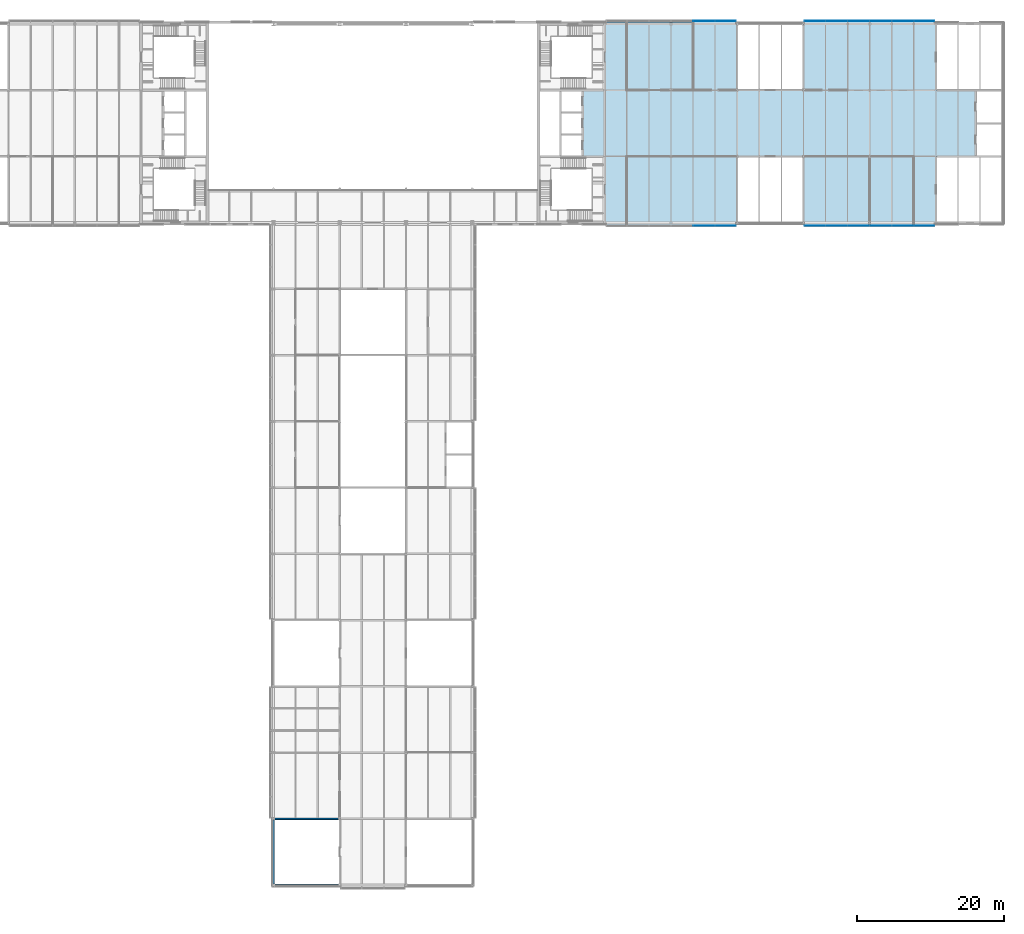
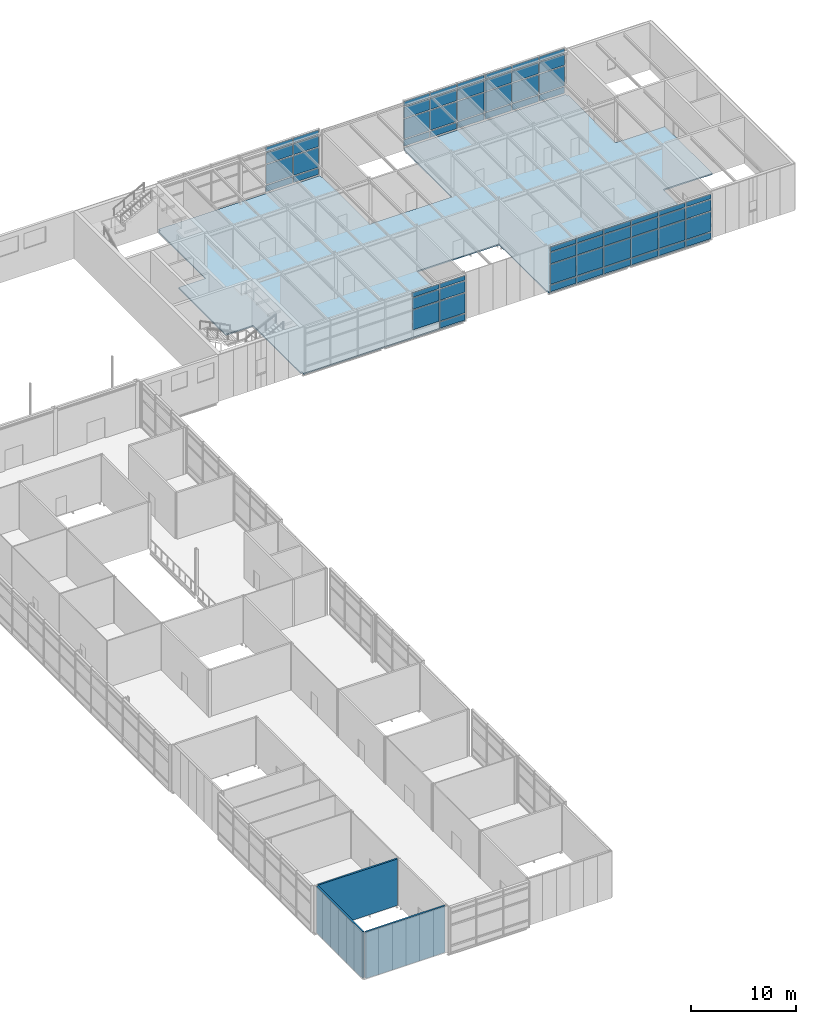
# One storey, part 34 of 46: 63 plates, 3 walls, 1 slab, 4 elements without a shape of their own.
"""IFC4 building model written with IfcOpenShell, lengths in metres."""

from ifc_helpers import new_model, si_unit, direction, frame, frame_2d, origin, origin_2d, place, context, subcontext, project, spatial, polyline, rectangle, outline, extrude, material, layer, layer_set, type_object, element, aggregate, save


model = new_model("IFC4")

# Units and contexts
model_context = context("Model", 3, precision=1e-05, world=origin(), true_north=direction((0.0, 1.0)))
body_context = subcontext(model_context, "Body", "Model", "MODEL_VIEW")
ifc_project = project(units=[si_unit("LENGTHUNIT", "METRE"), si_unit("AREAUNIT", "SQUARE_METRE"), si_unit("VOLUMEUNIT", "CUBIC_METRE"), si_unit("PLANEANGLEUNIT", "RADIAN"), si_unit("MASSUNIT", "GRAM", prefix="KILO")], contexts=[model_context])

# Site, building, storey
site_placement = place(None, origin())
site = spatial("IfcSite", under=ifc_project, at=site_placement, CompositionType="ELEMENT")
building_placement = place(site_placement, origin())
building = spatial("IfcBuilding", under=site, at=building_placement, Name="Azimuth Sports and Learning Centre", CompositionType="ELEMENT")
storey_placement = place(building_placement, frame((0.0, 0.0, 21.60009765625)))
storey = spatial("IfcBuildingStorey", under=building, at=storey_placement, Name="L04", CompositionType="ELEMENT", Elevation=21.60009765625)

# Slab
ifc_material_1 = material(Name="Concrete C30/37", Category="concrete")
ifc_layer_1 = layer(ifc_material_1, 0.14990234375)
ifc_layer_set_1 = layer_set([ifc_layer_1], Name="Concrete C30/37")
slab_type = type_object("IfcSlabType", Name="Composite floor slab 150", PredefinedType="FLOOR", material=ifc_layer_set_1)
slab_placement = place(storey_placement, frame((0.0, 0.0, -0.150146484375)))
element("IfcSlab", 1, at=slab_placement, inside=storey, type_object=slab_type, Name="Slab East wing L04", PredefinedType="FLOOR", context=body_context, shape_type="SweptSolid", body=[
    extrude(outline(polyline([(117.199951171875, 89.699951171875), (134.89990234375, 89.699951171875), (134.89990234375, 90.0), (135.0, 90.0), (135.0, 99.0), (144.0, 99.0), (144.0, 90.0), (144.10009765625, 90.0), (144.10009765625, 89.699951171875), (161.85009765625, 89.699951171875), (161.85009765625, 90.0), (162.0, 90.0), (162.0, 99.0), (167.39990234375, 99.0), (167.39990234375, 108.0), (162.0, 108.0), (162.0, 117.0), (161.85009765625, 117.0), (161.85009765625, 117.300048828125), (144.10009765625, 117.300048828125), (144.10009765625, 117.0), (144.0, 117.0), (144.0, 108.0), (135.0, 108.0), (135.0, 117.0), (134.89990234375, 117.0), (134.89990234375, 117.300048828125), (117.199951171875, 117.300048828125), (117.199951171875, 117.0), (117.0, 117.0), (117.0, 108.0), (114.0, 108.0), (114.0, 99.0), (117.0, 99.0), (117.0, 90.0), (117.199951171875, 90.0), (117.199951171875, 89.699951171875)])), origin(), (0.0, 0.0, 1.0), 0.150146484375),
])

# Curtain wall, plates
ifc_material_2 = material(Name="Aluminium and glass", Category="aluminium")
curtain_wall_type = type_object("IfcCurtainWallType", Name="Curtain wall podium wing 240", PredefinedType="NOTDEFINED", material=ifc_material_2)
curtain_wall_1_placement = place(storey_placement, origin())
curtain_wall_1 = element("IfcCurtainWall", 2, at=curtain_wall_1_placement, inside=storey, type_object=curtain_wall_type, Name="Curtain wall CW04-009", PredefinedType="NOTDEFINED")
ifc_material_3 = material(Name="Insulated aluminium panel", Category="aluminium")
ifc_layer_2 = layer(ifc_material_3, 0.06005859375)
ifc_layer_set_2 = layer_set([ifc_layer_2], Name="Insulated aluminium panel")
plate_type_1 = type_object("IfcPlateType", Name="Spandrel panel 60 mm", PredefinedType="CURTAIN_PANEL", material=ifc_layer_set_2)
plate_1_placement = place(storey_placement, frame((130.5, 89.580078125, 4.760009765625), z_axis=(0.0, 0.0, 1.0), x_axis=(1.0, 0.0, 0.0)))
plate_1 = element("IfcPlate", 3, at=plate_1_placement, type_object=plate_type_1, Name="CW04-009 panel 5.4", PredefinedType="CURTAIN_PANEL", context=body_context, shape_type="SweptSolid", body=[
    extrude(rectangle(XDim=2.919921875, YDim=0.06005859375, at=origin_2d()), origin(), (0.0, 0.0, 1.0), 0.52001953125),
])
plate_2_placement = place(storey_placement, frame((133.429931640625, 89.580078125, 0.1201171875), z_axis=(0.0, 0.0, 1.0), x_axis=(1.0, 0.0, 0.0)))
plate_2 = element("IfcPlate", 4, at=plate_2_placement, type_object=plate_type_1, Name="CW04-009 panel 6.1", PredefinedType="CURTAIN_PANEL", context=body_context, shape_type="SweptSolid", body=[
    extrude(rectangle(XDim=2.780029296875, YDim=0.06005859375, at=origin_2d()), origin(), (0.0, 0.0, 1.0), 0.719970703125),
])
plate_3_placement = place(storey_placement, frame((133.429931640625, 89.580078125, 4.760009765625), z_axis=(0.0, 0.0, 1.0), x_axis=(1.0, 0.0, 0.0)))
plate_3 = element("IfcPlate", 5, at=plate_3_placement, type_object=plate_type_1, Name="CW04-009 panel 6.4", PredefinedType="CURTAIN_PANEL", context=body_context, shape_type="SweptSolid", body=[
    extrude(rectangle(XDim=2.780029296875, YDim=0.06005859375, at=origin_2d()), origin(), (0.0, 0.0, 1.0), 0.52001953125),
])

curtain_wall_2_placement = place(storey_placement, origin())
curtain_wall_2 = element("IfcCurtainWall", 6, at=curtain_wall_2_placement, inside=storey, type_object=curtain_wall_type, Name="Curtain wall CW04-010", PredefinedType="NOTDEFINED")
plate_4_placement = place(storey_placement, frame((145.570068359375, 89.580078125, 0.1201171875), z_axis=(0.0, 0.0, 1.0), x_axis=(1.0, 0.0, 0.0)))
plate_4 = element("IfcPlate", 7, at=plate_4_placement, type_object=plate_type_1, Name="CW04-010 panel 1.1", PredefinedType="CURTAIN_PANEL", context=body_context, shape_type="SweptSolid", body=[
    extrude(rectangle(XDim=2.780029296875, YDim=0.06005859375, at=origin_2d()), origin(), (0.0, 0.0, 1.0), 0.719970703125),
])
plate_5_placement = place(storey_placement, frame((145.570068359375, 89.580078125, 4.760009765625), z_axis=(0.0, 0.0, 1.0), x_axis=(1.0, 0.0, 0.0)))
plate_5 = element("IfcPlate", 8, at=plate_5_placement, type_object=plate_type_1, Name="CW04-010 panel 1.4", PredefinedType="CURTAIN_PANEL", context=body_context, shape_type="SweptSolid", body=[
    extrude(rectangle(XDim=2.780029296875, YDim=0.06005859375, at=origin_2d()), origin(), (0.0, 0.0, 1.0), 0.52001953125),
])
plate_6_placement = place(storey_placement, frame((148.5, 89.580078125, 0.1201171875), z_axis=(0.0, 0.0, 1.0), x_axis=(1.0, 0.0, 0.0)))
plate_6 = element("IfcPlate", 9, at=plate_6_placement, type_object=plate_type_1, Name="CW04-010 panel 2.1", PredefinedType="CURTAIN_PANEL", context=body_context, shape_type="SweptSolid", body=[
    extrude(rectangle(XDim=2.919921875, YDim=0.06005859375, at=origin_2d()), origin(), (0.0, 0.0, 1.0), 0.719970703125),
])
plate_7_placement = place(storey_placement, frame((148.5, 89.580078125, 4.760009765625), z_axis=(0.0, 0.0, 1.0), x_axis=(1.0, 0.0, 0.0)))
plate_7 = element("IfcPlate", 10, at=plate_7_placement, type_object=plate_type_1, Name="CW04-010 panel 2.4", PredefinedType="CURTAIN_PANEL", context=body_context, shape_type="SweptSolid", body=[
    extrude(rectangle(XDim=2.919921875, YDim=0.06005859375, at=origin_2d()), origin(), (0.0, 0.0, 1.0), 0.52001953125),
])
plate_8_placement = place(storey_placement, frame((151.5, 89.580078125, 0.1201171875), z_axis=(0.0, 0.0, 1.0), x_axis=(1.0, 0.0, 0.0)))
plate_8 = element("IfcPlate", 11, at=plate_8_placement, type_object=plate_type_1, Name="CW04-010 panel 3.1", PredefinedType="CURTAIN_PANEL", context=body_context, shape_type="SweptSolid", body=[
    extrude(rectangle(XDim=2.919921875, YDim=0.06005859375, at=origin_2d()), origin(), (0.0, 0.0, 1.0), 0.719970703125),
])
plate_9_placement = place(storey_placement, frame((151.5, 89.580078125, 4.760009765625), z_axis=(0.0, 0.0, 1.0), x_axis=(1.0, 0.0, 0.0)))
plate_9 = element("IfcPlate", 12, at=plate_9_placement, type_object=plate_type_1, Name="CW04-010 panel 3.4", PredefinedType="CURTAIN_PANEL", context=body_context, shape_type="SweptSolid", body=[
    extrude(rectangle(XDim=2.919921875, YDim=0.06005859375, at=origin_2d()), origin(), (0.0, 0.0, 1.0), 0.52001953125),
])
plate_10_placement = place(storey_placement, frame((154.5, 89.580078125, 0.1201171875), z_axis=(0.0, 0.0, 1.0), x_axis=(1.0, 0.0, 0.0)))
plate_10 = element("IfcPlate", 13, at=plate_10_placement, type_object=plate_type_1, Name="CW04-010 panel 4.1", PredefinedType="CURTAIN_PANEL", context=body_context, shape_type="SweptSolid", body=[
    extrude(rectangle(XDim=2.919921875, YDim=0.06005859375, at=origin_2d()), origin(), (0.0, 0.0, 1.0), 0.719970703125),
])
plate_11_placement = place(storey_placement, frame((154.5, 89.580078125, 4.760009765625), z_axis=(0.0, 0.0, 1.0), x_axis=(1.0, 0.0, 0.0)))
plate_11 = element("IfcPlate", 14, at=plate_11_placement, type_object=plate_type_1, Name="CW04-010 panel 4.4", PredefinedType="CURTAIN_PANEL", context=body_context, shape_type="SweptSolid", body=[
    extrude(rectangle(XDim=2.919921875, YDim=0.06005859375, at=origin_2d()), origin(), (0.0, 0.0, 1.0), 0.52001953125),
])
plate_12_placement = place(storey_placement, frame((157.5, 89.580078125, 0.1201171875), z_axis=(0.0, 0.0, 1.0), x_axis=(1.0, 0.0, 0.0)))
plate_12 = element("IfcPlate", 15, at=plate_12_placement, type_object=plate_type_1, Name="CW04-010 panel 5.1", PredefinedType="CURTAIN_PANEL", context=body_context, shape_type="SweptSolid", body=[
    extrude(rectangle(XDim=2.919921875, YDim=0.06005859375, at=origin_2d()), origin(), (0.0, 0.0, 1.0), 0.719970703125),
])
plate_13_placement = place(storey_placement, frame((157.5, 89.580078125, 4.760009765625), z_axis=(0.0, 0.0, 1.0), x_axis=(1.0, 0.0, 0.0)))
plate_13 = element("IfcPlate", 16, at=plate_13_placement, type_object=plate_type_1, Name="CW04-010 panel 5.4", PredefinedType="CURTAIN_PANEL", context=body_context, shape_type="SweptSolid", body=[
    extrude(rectangle(XDim=2.919921875, YDim=0.06005859375, at=origin_2d()), origin(), (0.0, 0.0, 1.0), 0.52001953125),
])
plate_14_placement = place(storey_placement, frame((160.405029296875, 89.580078125, 0.1201171875), z_axis=(0.0, 0.0, 1.0), x_axis=(1.0, 0.0, 0.0)))
plate_14 = element("IfcPlate", 17, at=plate_14_placement, type_object=plate_type_1, Name="CW04-010 panel 6.1", PredefinedType="CURTAIN_PANEL", context=body_context, shape_type="SweptSolid", body=[
    extrude(rectangle(XDim=2.72998046875, YDim=0.06005859375, at=origin_2d()), origin(), (0.0, 0.0, 1.0), 0.719970703125),
])
plate_15_placement = place(storey_placement, frame((160.405029296875, 89.580078125, 4.760009765625), z_axis=(0.0, 0.0, 1.0), x_axis=(1.0, 0.0, 0.0)))
plate_15 = element("IfcPlate", 18, at=plate_15_placement, type_object=plate_type_1, Name="CW04-010 panel 6.4", PredefinedType="CURTAIN_PANEL", context=body_context, shape_type="SweptSolid", body=[
    extrude(rectangle(XDim=2.72998046875, YDim=0.06005859375, at=origin_2d()), origin(), (0.0, 0.0, 1.0), 0.52001953125),
])

curtain_wall_3_placement = place(storey_placement, origin())
curtain_wall_3 = element("IfcCurtainWall", 19, at=curtain_wall_3_placement, inside=storey, type_object=curtain_wall_type, Name="Curtain wall CW04-011", PredefinedType="NOTDEFINED")
plate_16_placement = place(storey_placement, frame((160.405029296875, 117.419921875, 0.1201171875), z_axis=(0.0, 0.0, 1.0), x_axis=(-1.0, 0.0, 0.0)))
plate_16 = element("IfcPlate", 20, at=plate_16_placement, type_object=plate_type_1, Name="CW04-011 panel 1.1", PredefinedType="CURTAIN_PANEL", context=body_context, shape_type="SweptSolid", body=[
    extrude(rectangle(XDim=2.72998046875, YDim=0.06005859375, at=origin_2d()), origin(), (0.0, 0.0, 1.0), 0.719970703125),
])
plate_17_placement = place(storey_placement, frame((160.405029296875, 117.419921875, 4.760009765625), z_axis=(0.0, 0.0, 1.0), x_axis=(-1.0, 0.0, 0.0)))
plate_17 = element("IfcPlate", 21, at=plate_17_placement, type_object=plate_type_1, Name="CW04-011 panel 1.4", PredefinedType="CURTAIN_PANEL", context=body_context, shape_type="SweptSolid", body=[
    extrude(rectangle(XDim=2.72998046875, YDim=0.06005859375, at=origin_2d()), origin(), (0.0, 0.0, 1.0), 0.52001953125),
])
plate_18_placement = place(storey_placement, frame((157.5, 117.419921875, 0.1201171875), z_axis=(0.0, 0.0, 1.0), x_axis=(-1.0, 0.0, 0.0)))
plate_18 = element("IfcPlate", 22, at=plate_18_placement, type_object=plate_type_1, Name="CW04-011 panel 2.1", PredefinedType="CURTAIN_PANEL", context=body_context, shape_type="SweptSolid", body=[
    extrude(rectangle(XDim=2.919921875, YDim=0.06005859375, at=origin_2d()), origin(), (0.0, 0.0, 1.0), 0.719970703125),
])
plate_19_placement = place(storey_placement, frame((157.5, 117.419921875, 4.760009765625), z_axis=(0.0, 0.0, 1.0), x_axis=(-1.0, 0.0, 0.0)))
plate_19 = element("IfcPlate", 23, at=plate_19_placement, type_object=plate_type_1, Name="CW04-011 panel 2.4", PredefinedType="CURTAIN_PANEL", context=body_context, shape_type="SweptSolid", body=[
    extrude(rectangle(XDim=2.919921875, YDim=0.06005859375, at=origin_2d()), origin(), (0.0, 0.0, 1.0), 0.52001953125),
])
plate_20_placement = place(storey_placement, frame((154.5, 117.419921875, 0.1201171875), z_axis=(0.0, 0.0, 1.0), x_axis=(-1.0, 0.0, 0.0)))
plate_20 = element("IfcPlate", 24, at=plate_20_placement, type_object=plate_type_1, Name="CW04-011 panel 3.1", PredefinedType="CURTAIN_PANEL", context=body_context, shape_type="SweptSolid", body=[
    extrude(rectangle(XDim=2.919921875, YDim=0.06005859375, at=origin_2d()), origin(), (0.0, 0.0, 1.0), 0.719970703125),
])
plate_21_placement = place(storey_placement, frame((154.5, 117.419921875, 4.760009765625), z_axis=(0.0, 0.0, 1.0), x_axis=(-1.0, 0.0, 0.0)))
plate_21 = element("IfcPlate", 25, at=plate_21_placement, type_object=plate_type_1, Name="CW04-011 panel 3.4", PredefinedType="CURTAIN_PANEL", context=body_context, shape_type="SweptSolid", body=[
    extrude(rectangle(XDim=2.919921875, YDim=0.06005859375, at=origin_2d()), origin(), (0.0, 0.0, 1.0), 0.52001953125),
])
plate_22_placement = place(storey_placement, frame((151.5, 117.419921875, 0.1201171875), z_axis=(0.0, 0.0, 1.0), x_axis=(-1.0, 0.0, 0.0)))
plate_22 = element("IfcPlate", 26, at=plate_22_placement, type_object=plate_type_1, Name="CW04-011 panel 4.1", PredefinedType="CURTAIN_PANEL", context=body_context, shape_type="SweptSolid", body=[
    extrude(rectangle(XDim=2.919921875, YDim=0.06005859375, at=origin_2d()), origin(), (0.0, 0.0, 1.0), 0.719970703125),
])
plate_23_placement = place(storey_placement, frame((151.5, 117.419921875, 4.760009765625), z_axis=(0.0, 0.0, 1.0), x_axis=(-1.0, 0.0, 0.0)))
plate_23 = element("IfcPlate", 27, at=plate_23_placement, type_object=plate_type_1, Name="CW04-011 panel 4.4", PredefinedType="CURTAIN_PANEL", context=body_context, shape_type="SweptSolid", body=[
    extrude(rectangle(XDim=2.919921875, YDim=0.06005859375, at=origin_2d()), origin(), (0.0, 0.0, 1.0), 0.52001953125),
])
plate_24_placement = place(storey_placement, frame((148.5, 117.419921875, 0.1201171875), z_axis=(0.0, 0.0, 1.0), x_axis=(-1.0, 0.0, 0.0)))
plate_24 = element("IfcPlate", 28, at=plate_24_placement, type_object=plate_type_1, Name="CW04-011 panel 5.1", PredefinedType="CURTAIN_PANEL", context=body_context, shape_type="SweptSolid", body=[
    extrude(rectangle(XDim=2.919921875, YDim=0.06005859375, at=origin_2d()), origin(), (0.0, 0.0, 1.0), 0.719970703125),
])
plate_25_placement = place(storey_placement, frame((148.5, 117.419921875, 4.760009765625), z_axis=(0.0, 0.0, 1.0), x_axis=(-1.0, 0.0, 0.0)))
plate_25 = element("IfcPlate", 29, at=plate_25_placement, type_object=plate_type_1, Name="CW04-011 panel 5.4", PredefinedType="CURTAIN_PANEL", context=body_context, shape_type="SweptSolid", body=[
    extrude(rectangle(XDim=2.919921875, YDim=0.06005859375, at=origin_2d()), origin(), (0.0, 0.0, 1.0), 0.52001953125),
])
plate_26_placement = place(storey_placement, frame((145.570068359375, 117.419921875, 0.1201171875), z_axis=(0.0, 0.0, 1.0), x_axis=(-1.0, 0.0, 0.0)))
plate_26 = element("IfcPlate", 30, at=plate_26_placement, type_object=plate_type_1, Name="CW04-011 panel 6.1", PredefinedType="CURTAIN_PANEL", context=body_context, shape_type="SweptSolid", body=[
    extrude(rectangle(XDim=2.780029296875, YDim=0.06005859375, at=origin_2d()), origin(), (0.0, 0.0, 1.0), 0.719970703125),
])
plate_27_placement = place(storey_placement, frame((145.570068359375, 117.419921875, 4.760009765625), z_axis=(0.0, 0.0, 1.0), x_axis=(-1.0, 0.0, 0.0)))
plate_27 = element("IfcPlate", 31, at=plate_27_placement, type_object=plate_type_1, Name="CW04-011 panel 6.4", PredefinedType="CURTAIN_PANEL", context=body_context, shape_type="SweptSolid", body=[
    extrude(rectangle(XDim=2.780029296875, YDim=0.06005859375, at=origin_2d()), origin(), (0.0, 0.0, 1.0), 0.52001953125),
])

curtain_wall_4_placement = place(storey_placement, origin())
curtain_wall_4 = element("IfcCurtainWall", 32, at=curtain_wall_4_placement, inside=storey, type_object=curtain_wall_type, Name="Curtain wall CW04-012", PredefinedType="NOTDEFINED")
plate_28_placement = place(storey_placement, frame((133.429931640625, 117.419921875, 0.1201171875), z_axis=(0.0, 0.0, 1.0), x_axis=(-1.0, 0.0, 0.0)))
plate_28 = element("IfcPlate", 33, at=plate_28_placement, type_object=plate_type_1, Name="CW04-012 panel 1.1", PredefinedType="CURTAIN_PANEL", context=body_context, shape_type="SweptSolid", body=[
    extrude(rectangle(XDim=2.780029296875, YDim=0.06005859375, at=origin_2d()), origin(), (0.0, 0.0, 1.0), 0.719970703125),
])
plate_29_placement = place(storey_placement, frame((133.429931640625, 117.419921875, 4.760009765625), z_axis=(0.0, 0.0, 1.0), x_axis=(-1.0, 0.0, 0.0)))
plate_29 = element("IfcPlate", 34, at=plate_29_placement, type_object=plate_type_1, Name="CW04-012 panel 1.4", PredefinedType="CURTAIN_PANEL", context=body_context, shape_type="SweptSolid", body=[
    extrude(rectangle(XDim=2.780029296875, YDim=0.06005859375, at=origin_2d()), origin(), (0.0, 0.0, 1.0), 0.52001953125),
])
plate_30_placement = place(storey_placement, frame((130.5, 117.419921875, 0.1201171875), z_axis=(0.0, 0.0, 1.0), x_axis=(-1.0, 0.0, 0.0)))
plate_30 = element("IfcPlate", 35, at=plate_30_placement, type_object=plate_type_1, Name="CW04-012 panel 2.1", PredefinedType="CURTAIN_PANEL", context=body_context, shape_type="SweptSolid", body=[
    extrude(rectangle(XDim=2.919921875, YDim=0.06005859375, at=origin_2d()), origin(), (0.0, 0.0, 1.0), 0.719970703125),
])
plate_31_placement = place(storey_placement, frame((130.5, 117.419921875, 4.760009765625), z_axis=(0.0, 0.0, 1.0), x_axis=(-1.0, 0.0, 0.0)))
plate_31 = element("IfcPlate", 36, at=plate_31_placement, type_object=plate_type_1, Name="CW04-012 panel 2.4", PredefinedType="CURTAIN_PANEL", context=body_context, shape_type="SweptSolid", body=[
    extrude(rectangle(XDim=2.919921875, YDim=0.06005859375, at=origin_2d()), origin(), (0.0, 0.0, 1.0), 0.52001953125),
])

# Plate
ifc_material_4 = material(Name="Glass", Category="glass")
ifc_layer_3 = layer(ifc_material_4, 0.0439453125)
ifc_layer_set_3 = layer_set([ifc_layer_3], Name="Glass")
plate_type_2 = type_object("IfcPlateType", Name="Vision glass 44 mm", PredefinedType="CURTAIN_PANEL", material=ifc_layer_set_3)
plate_32_placement = place(storey_placement, frame((130.5, 89.580078125, 0.9599609375), z_axis=(0.0, 0.0, 1.0), x_axis=(1.0, 0.0, 0.0)))
plate_32 = element("IfcPlate", 37, at=plate_32_placement, type_object=plate_type_2, Name="CW04-009 panel 5.2", PredefinedType="CURTAIN_PANEL", context=body_context, shape_type="SweptSolid", body=[
    extrude(rectangle(XDim=2.919921875, YDim=0.0439453125, at=origin_2d()), origin(), (0.0, 0.0, 1.0), 2.280029296875),
])

plate_33_placement = place(storey_placement, frame((130.5, 89.580078125, 3.35986328125), z_axis=(0.0, 0.0, 1.0), x_axis=(1.0, 0.0, 0.0)))
plate_33 = element("IfcPlate", 38, at=plate_33_placement, type_object=plate_type_2, Name="CW04-009 panel 5.3", PredefinedType="CURTAIN_PANEL", context=body_context, shape_type="SweptSolid", body=[
    extrude(rectangle(XDim=2.919921875, YDim=0.0439453125, at=origin_2d()), origin(), (0.0, 0.0, 1.0), 1.280029296875),
])

plate_34_placement = place(storey_placement, frame((133.429931640625, 89.580078125, 0.9599609375), z_axis=(0.0, 0.0, 1.0), x_axis=(1.0, 0.0, 0.0)))
plate_34 = element("IfcPlate", 39, at=plate_34_placement, type_object=plate_type_2, Name="CW04-009 panel 6.2", PredefinedType="CURTAIN_PANEL", context=body_context, shape_type="SweptSolid", body=[
    extrude(rectangle(XDim=2.780029296875, YDim=0.0439453125, at=origin_2d()), origin(), (0.0, 0.0, 1.0), 2.280029296875),
])

plate_35_placement = place(storey_placement, frame((133.429931640625, 89.580078125, 3.35986328125), z_axis=(0.0, 0.0, 1.0), x_axis=(1.0, 0.0, 0.0)))
plate_35 = element("IfcPlate", 40, at=plate_35_placement, type_object=plate_type_2, Name="CW04-009 panel 6.3", PredefinedType="CURTAIN_PANEL", context=body_context, shape_type="SweptSolid", body=[
    extrude(rectangle(XDim=2.780029296875, YDim=0.0439453125, at=origin_2d()), origin(), (0.0, 0.0, 1.0), 1.280029296875),
])

aggregate(curtain_wall_1, [plate_32, plate_33, plate_1, plate_2, plate_34, plate_35, plate_3])

plate_36_placement = place(storey_placement, frame((145.570068359375, 89.580078125, 0.9599609375), z_axis=(0.0, 0.0, 1.0), x_axis=(1.0, 0.0, 0.0)))
plate_36 = element("IfcPlate", 41, at=plate_36_placement, type_object=plate_type_2, Name="CW04-010 panel 1.2", PredefinedType="CURTAIN_PANEL", context=body_context, shape_type="SweptSolid", body=[
    extrude(rectangle(XDim=2.780029296875, YDim=0.0439453125, at=origin_2d()), origin(), (0.0, 0.0, 1.0), 2.280029296875),
])

plate_37_placement = place(storey_placement, frame((145.570068359375, 89.580078125, 3.35986328125), z_axis=(0.0, 0.0, 1.0), x_axis=(1.0, 0.0, 0.0)))
plate_37 = element("IfcPlate", 42, at=plate_37_placement, type_object=plate_type_2, Name="CW04-010 panel 1.3", PredefinedType="CURTAIN_PANEL", context=body_context, shape_type="SweptSolid", body=[
    extrude(rectangle(XDim=2.780029296875, YDim=0.0439453125, at=origin_2d()), origin(), (0.0, 0.0, 1.0), 1.280029296875),
])

plate_38_placement = place(storey_placement, frame((148.5, 89.580078125, 0.9599609375), z_axis=(0.0, 0.0, 1.0), x_axis=(1.0, 0.0, 0.0)))
plate_38 = element("IfcPlate", 43, at=plate_38_placement, type_object=plate_type_2, Name="CW04-010 panel 2.2", PredefinedType="CURTAIN_PANEL", context=body_context, shape_type="SweptSolid", body=[
    extrude(rectangle(XDim=2.919921875, YDim=0.0439453125, at=origin_2d()), origin(), (0.0, 0.0, 1.0), 2.280029296875),
])

plate_39_placement = place(storey_placement, frame((148.5, 89.580078125, 3.35986328125), z_axis=(0.0, 0.0, 1.0), x_axis=(1.0, 0.0, 0.0)))
plate_39 = element("IfcPlate", 44, at=plate_39_placement, type_object=plate_type_2, Name="CW04-010 panel 2.3", PredefinedType="CURTAIN_PANEL", context=body_context, shape_type="SweptSolid", body=[
    extrude(rectangle(XDim=2.919921875, YDim=0.0439453125, at=origin_2d()), origin(), (0.0, 0.0, 1.0), 1.280029296875),
])

plate_40_placement = place(storey_placement, frame((151.5, 89.580078125, 0.9599609375), z_axis=(0.0, 0.0, 1.0), x_axis=(1.0, 0.0, 0.0)))
plate_40 = element("IfcPlate", 45, at=plate_40_placement, type_object=plate_type_2, Name="CW04-010 panel 3.2", PredefinedType="CURTAIN_PANEL", context=body_context, shape_type="SweptSolid", body=[
    extrude(rectangle(XDim=2.919921875, YDim=0.0439453125, at=origin_2d()), origin(), (0.0, 0.0, 1.0), 2.280029296875),
])

plate_41_placement = place(storey_placement, frame((151.5, 89.580078125, 3.35986328125), z_axis=(0.0, 0.0, 1.0), x_axis=(1.0, 0.0, 0.0)))
plate_41 = element("IfcPlate", 46, at=plate_41_placement, type_object=plate_type_2, Name="CW04-010 panel 3.3", PredefinedType="CURTAIN_PANEL", context=body_context, shape_type="SweptSolid", body=[
    extrude(rectangle(XDim=2.919921875, YDim=0.0439453125, at=origin_2d()), origin(), (0.0, 0.0, 1.0), 1.280029296875),
])

plate_42_placement = place(storey_placement, frame((154.5, 89.580078125, 0.9599609375), z_axis=(0.0, 0.0, 1.0), x_axis=(1.0, 0.0, 0.0)))
plate_42 = element("IfcPlate", 47, at=plate_42_placement, type_object=plate_type_2, Name="CW04-010 panel 4.2", PredefinedType="CURTAIN_PANEL", context=body_context, shape_type="SweptSolid", body=[
    extrude(rectangle(XDim=2.919921875, YDim=0.0439453125, at=origin_2d()), origin(), (0.0, 0.0, 1.0), 2.280029296875),
])

plate_43_placement = place(storey_placement, frame((154.5, 89.580078125, 3.35986328125), z_axis=(0.0, 0.0, 1.0), x_axis=(1.0, 0.0, 0.0)))
plate_43 = element("IfcPlate", 48, at=plate_43_placement, type_object=plate_type_2, Name="CW04-010 panel 4.3", PredefinedType="CURTAIN_PANEL", context=body_context, shape_type="SweptSolid", body=[
    extrude(rectangle(XDim=2.919921875, YDim=0.0439453125, at=origin_2d()), origin(), (0.0, 0.0, 1.0), 1.280029296875),
])

plate_44_placement = place(storey_placement, frame((157.5, 89.580078125, 0.9599609375), z_axis=(0.0, 0.0, 1.0), x_axis=(1.0, 0.0, 0.0)))
plate_44 = element("IfcPlate", 49, at=plate_44_placement, type_object=plate_type_2, Name="CW04-010 panel 5.2", PredefinedType="CURTAIN_PANEL", context=body_context, shape_type="SweptSolid", body=[
    extrude(rectangle(XDim=2.919921875, YDim=0.0439453125, at=origin_2d()), origin(), (0.0, 0.0, 1.0), 2.280029296875),
])

plate_45_placement = place(storey_placement, frame((157.5, 89.580078125, 3.35986328125), z_axis=(0.0, 0.0, 1.0), x_axis=(1.0, 0.0, 0.0)))
plate_45 = element("IfcPlate", 50, at=plate_45_placement, type_object=plate_type_2, Name="CW04-010 panel 5.3", PredefinedType="CURTAIN_PANEL", context=body_context, shape_type="SweptSolid", body=[
    extrude(rectangle(XDim=2.919921875, YDim=0.0439453125, at=origin_2d()), origin(), (0.0, 0.0, 1.0), 1.280029296875),
])

plate_46_placement = place(storey_placement, frame((160.405029296875, 89.580078125, 0.9599609375), z_axis=(0.0, 0.0, 1.0), x_axis=(1.0, 0.0, 0.0)))
plate_46 = element("IfcPlate", 51, at=plate_46_placement, type_object=plate_type_2, Name="CW04-010 panel 6.2", PredefinedType="CURTAIN_PANEL", context=body_context, shape_type="SweptSolid", body=[
    extrude(rectangle(XDim=2.72998046875, YDim=0.0439453125, at=origin_2d()), origin(), (0.0, 0.0, 1.0), 2.280029296875),
])

plate_47_placement = place(storey_placement, frame((160.405029296875, 89.580078125, 3.35986328125), z_axis=(0.0, 0.0, 1.0), x_axis=(1.0, 0.0, 0.0)))
plate_47 = element("IfcPlate", 52, at=plate_47_placement, type_object=plate_type_2, Name="CW04-010 panel 6.3", PredefinedType="CURTAIN_PANEL", context=body_context, shape_type="SweptSolid", body=[
    extrude(rectangle(XDim=2.72998046875, YDim=0.0439453125, at=origin_2d()), origin(), (0.0, 0.0, 1.0), 1.280029296875),
])

aggregate(curtain_wall_2, [plate_4, plate_36, plate_37, plate_5, plate_6, plate_38, plate_39, plate_7, plate_8, plate_40, plate_41, plate_9, plate_10, plate_42, plate_43, plate_11, plate_12, plate_44, plate_45, plate_13, plate_14, plate_46, plate_47, plate_15])

plate_48_placement = place(storey_placement, frame((160.405029296875, 117.419921875, 0.9599609375), z_axis=(0.0, 0.0, 1.0), x_axis=(-1.0, 0.0, 0.0)))
plate_48 = element("IfcPlate", 53, at=plate_48_placement, type_object=plate_type_2, Name="CW04-011 panel 1.2", PredefinedType="CURTAIN_PANEL", context=body_context, shape_type="SweptSolid", body=[
    extrude(rectangle(XDim=2.72998046875, YDim=0.0439453125, at=origin_2d()), origin(), (0.0, 0.0, 1.0), 2.280029296875),
])

plate_49_placement = place(storey_placement, frame((160.405029296875, 117.419921875, 3.35986328125), z_axis=(0.0, 0.0, 1.0), x_axis=(-1.0, 0.0, 0.0)))
plate_49 = element("IfcPlate", 54, at=plate_49_placement, type_object=plate_type_2, Name="CW04-011 panel 1.3", PredefinedType="CURTAIN_PANEL", context=body_context, shape_type="SweptSolid", body=[
    extrude(rectangle(XDim=2.72998046875, YDim=0.0439453125, at=origin_2d()), origin(), (0.0, 0.0, 1.0), 1.280029296875),
])

plate_50_placement = place(storey_placement, frame((157.5, 117.419921875, 0.9599609375), z_axis=(0.0, 0.0, 1.0), x_axis=(-1.0, 0.0, 0.0)))
plate_50 = element("IfcPlate", 55, at=plate_50_placement, type_object=plate_type_2, Name="CW04-011 panel 2.2", PredefinedType="CURTAIN_PANEL", context=body_context, shape_type="SweptSolid", body=[
    extrude(rectangle(XDim=2.919921875, YDim=0.0439453125, at=origin_2d()), origin(), (0.0, 0.0, 1.0), 2.280029296875),
])

plate_51_placement = place(storey_placement, frame((157.5, 117.419921875, 3.35986328125), z_axis=(0.0, 0.0, 1.0), x_axis=(-1.0, 0.0, 0.0)))
plate_51 = element("IfcPlate", 56, at=plate_51_placement, type_object=plate_type_2, Name="CW04-011 panel 2.3", PredefinedType="CURTAIN_PANEL", context=body_context, shape_type="SweptSolid", body=[
    extrude(rectangle(XDim=2.919921875, YDim=0.0439453125, at=origin_2d()), origin(), (0.0, 0.0, 1.0), 1.280029296875),
])

plate_52_placement = place(storey_placement, frame((154.5, 117.419921875, 0.9599609375), z_axis=(0.0, 0.0, 1.0), x_axis=(-1.0, 0.0, 0.0)))
plate_52 = element("IfcPlate", 57, at=plate_52_placement, type_object=plate_type_2, Name="CW04-011 panel 3.2", PredefinedType="CURTAIN_PANEL", context=body_context, shape_type="SweptSolid", body=[
    extrude(rectangle(XDim=2.919921875, YDim=0.0439453125, at=origin_2d()), origin(), (0.0, 0.0, 1.0), 2.280029296875),
])

plate_53_placement = place(storey_placement, frame((154.5, 117.419921875, 3.35986328125), z_axis=(0.0, 0.0, 1.0), x_axis=(-1.0, 0.0, 0.0)))
plate_53 = element("IfcPlate", 58, at=plate_53_placement, type_object=plate_type_2, Name="CW04-011 panel 3.3", PredefinedType="CURTAIN_PANEL", context=body_context, shape_type="SweptSolid", body=[
    extrude(rectangle(XDim=2.919921875, YDim=0.0439453125, at=origin_2d()), origin(), (0.0, 0.0, 1.0), 1.280029296875),
])

plate_54_placement = place(storey_placement, frame((151.5, 117.419921875, 0.9599609375), z_axis=(0.0, 0.0, 1.0), x_axis=(-1.0, 0.0, 0.0)))
plate_54 = element("IfcPlate", 59, at=plate_54_placement, type_object=plate_type_2, Name="CW04-011 panel 4.2", PredefinedType="CURTAIN_PANEL", context=body_context, shape_type="SweptSolid", body=[
    extrude(rectangle(XDim=2.919921875, YDim=0.0439453125, at=origin_2d()), origin(), (0.0, 0.0, 1.0), 2.280029296875),
])

plate_55_placement = place(storey_placement, frame((151.5, 117.419921875, 3.35986328125), z_axis=(0.0, 0.0, 1.0), x_axis=(-1.0, 0.0, 0.0)))
plate_55 = element("IfcPlate", 60, at=plate_55_placement, type_object=plate_type_2, Name="CW04-011 panel 4.3", PredefinedType="CURTAIN_PANEL", context=body_context, shape_type="SweptSolid", body=[
    extrude(rectangle(XDim=2.919921875, YDim=0.0439453125, at=origin_2d()), origin(), (0.0, 0.0, 1.0), 1.280029296875),
])

plate_56_placement = place(storey_placement, frame((148.5, 117.419921875, 0.9599609375), z_axis=(0.0, 0.0, 1.0), x_axis=(-1.0, 0.0, 0.0)))
plate_56 = element("IfcPlate", 61, at=plate_56_placement, type_object=plate_type_2, Name="CW04-011 panel 5.2", PredefinedType="CURTAIN_PANEL", context=body_context, shape_type="SweptSolid", body=[
    extrude(rectangle(XDim=2.919921875, YDim=0.0439453125, at=origin_2d()), origin(), (0.0, 0.0, 1.0), 2.280029296875),
])

plate_57_placement = place(storey_placement, frame((148.5, 117.419921875, 3.35986328125), z_axis=(0.0, 0.0, 1.0), x_axis=(-1.0, 0.0, 0.0)))
plate_57 = element("IfcPlate", 62, at=plate_57_placement, type_object=plate_type_2, Name="CW04-011 panel 5.3", PredefinedType="CURTAIN_PANEL", context=body_context, shape_type="SweptSolid", body=[
    extrude(rectangle(XDim=2.919921875, YDim=0.0439453125, at=origin_2d()), origin(), (0.0, 0.0, 1.0), 1.280029296875),
])

plate_58_placement = place(storey_placement, frame((145.570068359375, 117.419921875, 0.9599609375), z_axis=(0.0, 0.0, 1.0), x_axis=(-1.0, 0.0, 0.0)))
plate_58 = element("IfcPlate", 63, at=plate_58_placement, type_object=plate_type_2, Name="CW04-011 panel 6.2", PredefinedType="CURTAIN_PANEL", context=body_context, shape_type="SweptSolid", body=[
    extrude(rectangle(XDim=2.780029296875, YDim=0.0439453125, at=origin_2d()), origin(), (0.0, 0.0, 1.0), 2.280029296875),
])

plate_59_placement = place(storey_placement, frame((145.570068359375, 117.419921875, 3.35986328125), z_axis=(0.0, 0.0, 1.0), x_axis=(-1.0, 0.0, 0.0)))
plate_59 = element("IfcPlate", 64, at=plate_59_placement, type_object=plate_type_2, Name="CW04-011 panel 6.3", PredefinedType="CURTAIN_PANEL", context=body_context, shape_type="SweptSolid", body=[
    extrude(rectangle(XDim=2.780029296875, YDim=0.0439453125, at=origin_2d()), origin(), (0.0, 0.0, 1.0), 1.280029296875),
])

aggregate(curtain_wall_3, [plate_16, plate_48, plate_49, plate_17, plate_18, plate_50, plate_51, plate_19, plate_20, plate_52, plate_53, plate_21, plate_22, plate_54, plate_55, plate_23, plate_24, plate_56, plate_57, plate_25, plate_26, plate_58, plate_59, plate_27])

plate_60_placement = place(storey_placement, frame((133.429931640625, 117.419921875, 0.9599609375), z_axis=(0.0, 0.0, 1.0), x_axis=(-1.0, 0.0, 0.0)))
plate_60 = element("IfcPlate", 65, at=plate_60_placement, type_object=plate_type_2, Name="CW04-012 panel 1.2", PredefinedType="CURTAIN_PANEL", context=body_context, shape_type="SweptSolid", body=[
    extrude(rectangle(XDim=2.780029296875, YDim=0.0439453125, at=origin_2d()), origin(), (0.0, 0.0, 1.0), 2.280029296875),
])

plate_61_placement = place(storey_placement, frame((133.429931640625, 117.419921875, 3.35986328125), z_axis=(0.0, 0.0, 1.0), x_axis=(-1.0, 0.0, 0.0)))
plate_61 = element("IfcPlate", 66, at=plate_61_placement, type_object=plate_type_2, Name="CW04-012 panel 1.3", PredefinedType="CURTAIN_PANEL", context=body_context, shape_type="SweptSolid", body=[
    extrude(rectangle(XDim=2.780029296875, YDim=0.0439453125, at=origin_2d()), origin(), (0.0, 0.0, 1.0), 1.280029296875),
])

plate_62_placement = place(storey_placement, frame((130.5, 117.419921875, 0.9599609375), z_axis=(0.0, 0.0, 1.0), x_axis=(-1.0, 0.0, 0.0)))
plate_62 = element("IfcPlate", 67, at=plate_62_placement, type_object=plate_type_2, Name="CW04-012 panel 2.2", PredefinedType="CURTAIN_PANEL", context=body_context, shape_type="SweptSolid", body=[
    extrude(rectangle(XDim=2.919921875, YDim=0.0439453125, at=origin_2d()), origin(), (0.0, 0.0, 1.0), 2.280029296875),
])

plate_63_placement = place(storey_placement, frame((130.5, 117.419921875, 3.35986328125), z_axis=(0.0, 0.0, 1.0), x_axis=(-1.0, 0.0, 0.0)))
plate_63 = element("IfcPlate", 68, at=plate_63_placement, type_object=plate_type_2, Name="CW04-012 panel 2.3", PredefinedType="CURTAIN_PANEL", context=body_context, shape_type="SweptSolid", body=[
    extrude(rectangle(XDim=2.919921875, YDim=0.0439453125, at=origin_2d()), origin(), (0.0, 0.0, 1.0), 1.280029296875),
])

aggregate(curtain_wall_4, [plate_28, plate_60, plate_61, plate_29, plate_30, plate_62, plate_63, plate_31])

# Walls
ifc_material_5 = material(Name="Concrete C40/50", Category="concrete")
ifc_layer_4 = layer(ifc_material_5, 0.199951171875)
ifc_layer_set_4 = layer_set([ifc_layer_4], Name="Concrete C40/50")
wall_type_1 = type_object("IfcWallType", Name="RC cell wall 200 EI 120", PredefinedType="SHEAR", material=ifc_layer_set_4)
wall_placement = place(storey_placement, frame((72.14990234375, 9.0, 0.0), z_axis=(0.0, 0.0, 1.0), x_axis=(1.0, 0.0, 0.0)))
element("IfcWall", 69, at=wall_placement, inside=storey, type_object=wall_type_1, Name="CE-ST1-N-L04", PredefinedType="SHEAR", context=body_context, shape_type="SweptSolid", body=[
    extrude(rectangle(XDim=8.7001953125, YDim=0.199951171875, at=frame_2d((4.35009765625, 0.0))), origin(), (0.0, 0.0, 1.0), 5.39990234375),
])
ifc_material_6 = material(Name="Concrete C40/50", Category="concrete")
ifc_layer_5 = layer(ifc_material_6, 0.199951171875)
ifc_layer_set_5 = layer_set([ifc_layer_5], Name="Concrete C40/50")
wall_type_2 = type_object("IfcWallType", Name="RC external cell wall 200 EI 120", PredefinedType="SHEAR", material=ifc_layer_set_5)
for number, where, z_axis, x_axis, name in (
    (70, (72.14990234375, 0.0, 0.0), (0.0, 0.0, 1.0), (1.0, 0.0, 0.0), "CE-ST1-S-L04"),
    (71, (72.0, 0.14990234375, 0.0), (0.0, 0.0, 1.0), (0.0, 1.0, 0.0), "CE-ST1-W-L04"),
):
    element("IfcWall", number, at=place(storey_placement, frame(where, z_axis=z_axis, x_axis=x_axis)), inside=storey, type_object=wall_type_2, Name=name, PredefinedType="SHEAR", context=body_context, shape_type="SweptSolid", body=[
        extrude(rectangle(XDim=8.7001953125, YDim=0.199951171875, at=frame_2d((4.35009765625, 0.0))), origin(), (0.0, 0.0, 1.0), 5.39990234375),
    ])

save(model, "model.ifc")
